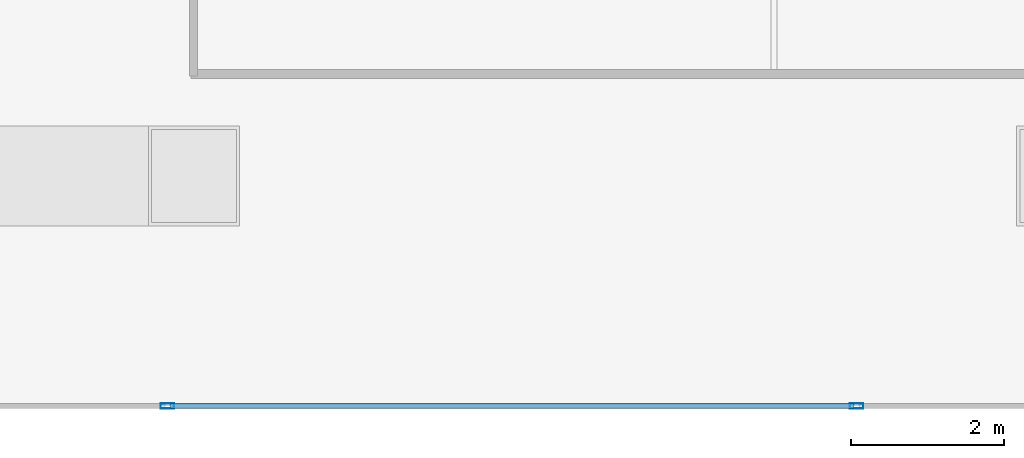
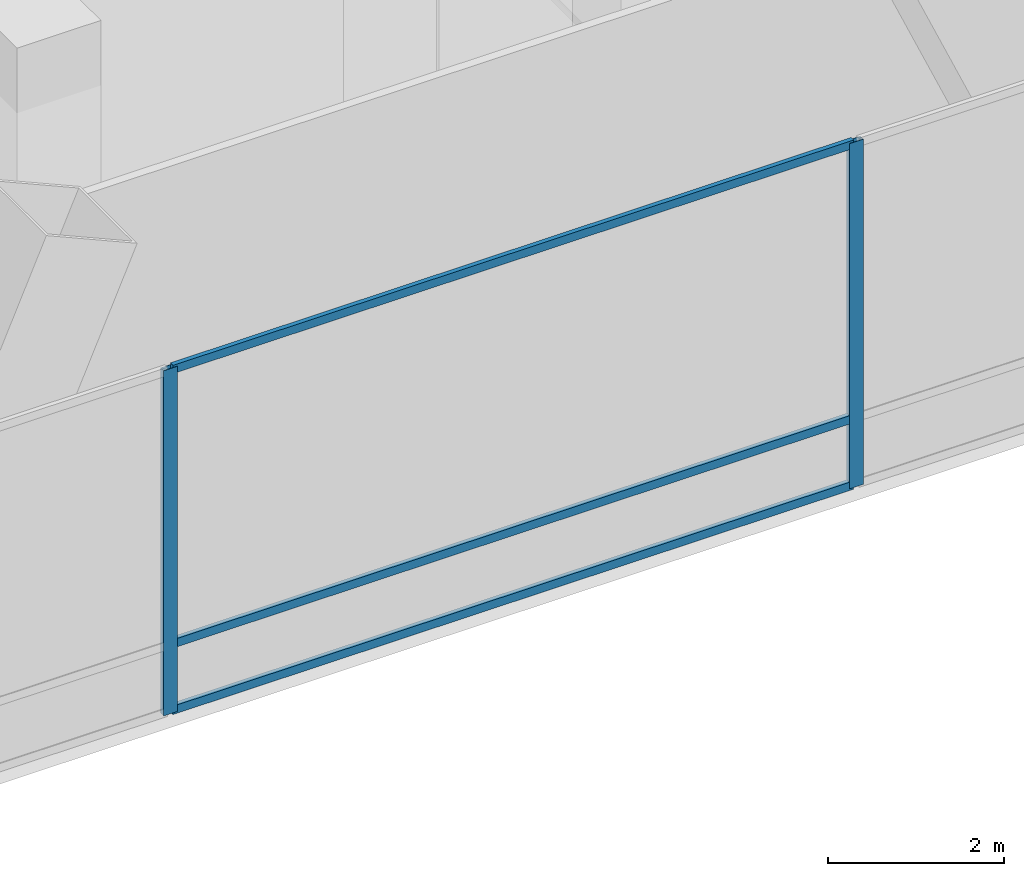
# One storey, part 12 of 42: 5 members, 1 element without a shape of its own.
"""IFC4 building model written with IfcOpenShell, lengths in metres."""

import ifcopenshell
import ifcopenshell.guid

model = None  # the IFC model being written
_history = None  # IfcOwnerHistory: only IFC2X3 demands one
_inside = {}  # id of a spatial element -> (the spatial element, [elements in it])
_under = {}  # id of a project, library or spatial element -> (it, [spatial elements below it])
_declared = {}  # id of a project -> (the project, [libraries it declares])
_typed = {}  # id of a type object -> (the type object, [elements of that type])
_made_of = {}  # id of a material, layer set ... -> (it, [elements and type objects made of it])


def new_model(schema):
    """Start an empty IFC model of exactly this schema.

    Asked for "IFC4X3", IfcOpenShell would pick the latest addendum, in which some entities
    have other attributes; the version numbers below select the first issue.
    IFC2X3 requires an IfcOwnerHistory on every rooted entity: one is made here for all.
    """
    global model, _history
    if schema == "IFC4X3":
        model = ifcopenshell.file(schema_version=(4, 3, 0, 0))
    else:
        model = ifcopenshell.file(schema=schema)
    _inside.clear()
    _under.clear()
    _declared.clear()
    _typed.clear()
    _made_of.clear()
    _history = None
    if model.schema == "IFC2X3":
        org = make("IfcOrganization", Name="unknown")
        user = make(
            "IfcPersonAndOrganization",
            ThePerson=make("IfcPerson", FamilyName="unknown"),
            TheOrganization=org,
        )
        app = make(
            "IfcApplication",
            ApplicationDeveloper=org,
            Version="unknown",
            ApplicationFullName="unknown",
            ApplicationIdentifier="unknown",
        )
        _history = make(
            "IfcOwnerHistory",
            OwningUser=user,
            OwningApplication=app,
            ChangeAction="ADDED",
            CreationDate=0,
        )
    return model


def make(cls, **values):
    """One entity of the class cls with the attributes given. An attribute that is None is left unset."""
    return model.create_entity(
        cls, **{name: value for name, value in values.items() if value is not None}
    )


def rooted(cls, **values):
    """An entity with a GlobalId (a new one), such as an element, a storey or a relation."""
    return make(cls, GlobalId=ifcopenshell.guid.new(), OwnerHistory=_history, **values)


def si_unit(unit_type, name, prefix=None):
    """IfcSIUnit, for example si_unit("LENGTHUNIT", "METRE", prefix="MILLI")."""
    return make("IfcSIUnit", UnitType=unit_type, Prefix=prefix, Name=name)


def assignment(units):
    """IfcUnitAssignment: the units of a project."""
    return None if units is None else make("IfcUnitAssignment", Units=units)


def point(xyz):
    """IfcCartesianPoint."""
    return None if xyz is None else make("IfcCartesianPoint", Coordinates=xyz)


def direction(xyz):
    """IfcDirection."""
    return None if xyz is None else make("IfcDirection", DirectionRatios=xyz)


def frame(location, z_axis=None, x_axis=None):
    """IfcAxis2Placement3D, a coordinate frame: its origin and axes. An axis left out is left unset."""
    return make(
        "IfcAxis2Placement3D",
        Location=point(location),
        Axis=direction(z_axis),
        RefDirection=direction(x_axis),
    )


def frame_2d(location, x_axis=None):
    """IfcAxis2Placement2D, a coordinate frame in the plane: its origin and x axis."""
    return make(
        "IfcAxis2Placement2D", Location=point(location), RefDirection=direction(x_axis)
    )


def origin():
    """The frame at (0, 0, 0) with its axes left unset."""
    return frame((0.0, 0.0, 0.0))


def origin_2d():
    """The frame at (0, 0) in the plane with its x axis left unset."""
    return frame_2d((0.0, 0.0))


def place(relative_to, where):
    """IfcLocalPlacement: puts the frame where relative to a parent placement (None: the world)."""
    return make(
        "IfcLocalPlacement", PlacementRelTo=relative_to, RelativePlacement=where
    )


def context(
    kind, dimensions, precision=None, world=None, true_north=None, identifier=None
):
    """IfcGeometricRepresentationContext, for example the 3D "Model" context."""
    return make(
        "IfcGeometricRepresentationContext",
        ContextIdentifier=identifier,
        ContextType=kind,
        CoordinateSpaceDimension=dimensions,
        Precision=precision,
        WorldCoordinateSystem=world,
        TrueNorth=true_north,
    )


def subcontext(parent, identifier, kind, view, scale=None):
    """IfcGeometricRepresentationSubContext, for example "Body" below "Model"."""
    return make(
        "IfcGeometricRepresentationSubContext",
        ContextIdentifier=identifier,
        ContextType=kind,
        ParentContext=parent,
        TargetScale=scale,
        TargetView=view,
    )


def project(units=None, contexts=None):
    """IfcProject with its units and contexts."""
    return rooted(
        "IfcProject",
        Name="project",
        RepresentationContexts=contexts,
        UnitsInContext=assignment(units),
    )


def spatial(cls, under=None, at=None, **own):
    """A site, building, storey or space (cls), placed at a placement, below another one or the project."""
    s = rooted(cls, ObjectPlacement=at, **own)
    if under is not None:
        _under.setdefault(under.id(), (under, []))[1].append(s)
    return s


def profile(cls, at=None, kind="AREA", **sizes):
    """A parametric profile (cls). Its sizes go by their IFC names, for example OverallWidth=200.0."""
    return make(cls, ProfileType=kind, Position=at, **sizes)


def hollow_rectangle(**sizes):
    """IfcRectangleHollowProfileDef."""
    return profile("IfcRectangleHollowProfileDef", **sizes)


def extrude(swept, where, along, depth):
    """IfcExtrudedAreaSolid: the profile swept, set in the frame where, extruded along a direction by depth."""
    return make(
        "IfcExtrudedAreaSolid",
        SweptArea=swept,
        Position=where,
        ExtrudedDirection=direction(along),
        Depth=depth,
    )


def shape(context_of_items, identifier, shape_type, items):
    """IfcShapeRepresentation: the items that make up one representation, for example the "Body"."""
    return make(
        "IfcShapeRepresentation",
        ContextOfItems=context_of_items,
        RepresentationIdentifier=identifier,
        RepresentationType=shape_type,
        Items=items,
    )


def material(Name=None, Category=None):
    """IfcMaterial."""
    return make("IfcMaterial", Name=Name, Category=Category)


def layer(
    of_material, thickness, ventilated=None, Name=None, Category=None, Priority=None
):
    """IfcMaterialLayer: one layer of a wall or slab, of a material (None: an air gap)."""
    return make(
        "IfcMaterialLayer",
        Material=of_material,
        LayerThickness=thickness,
        IsVentilated=ventilated,
        Name=Name,
        Category=Category,
        Priority=Priority,
    )


def layer_set(layers, Name=None):
    """IfcMaterialLayerSet."""
    return make("IfcMaterialLayerSet", MaterialLayers=layers, LayerSetName=Name)


def material_profile(
    of_material, cross_section, Name=None, Category=None, Priority=None
):
    """IfcMaterialProfile: a cross section and its material."""
    return make(
        "IfcMaterialProfile",
        Name=Name,
        Material=of_material,
        Profile=cross_section,
        Priority=Priority,
        Category=Category,
    )


def profile_set(profiles, Name=None, composite=None):
    """IfcMaterialProfileSet."""
    return make(
        "IfcMaterialProfileSet",
        Name=Name,
        MaterialProfiles=profiles,
        CompositeProfile=composite,
    )


def made_of(thing, what):
    """Note that an element or type object is made of a material, layer set ...; save() writes the relation."""
    if what is not None:
        _made_of.setdefault(what.id(), (what, []))[1].append(thing)
    return thing


def type_object(cls, material=None, **own):
    """A type object (cls), such as IfcWallType, which elements share."""
    return made_of(rooted(cls, **own), material)


def element(
    cls,
    number,
    at=None,
    inside=None,
    cuts=None,
    type_object=None,
    material=None,
    context=None,
    identifier="Body",
    shape_type=None,
    held_by="IfcProductDefinitionShape",
    body=None,
    shapes=None,
    **own,
):
    """One element of the class cls, such as IfcWall. Its Tag is "e" and its number.

    at: its placement. inside: the storey or other place that contains it. cuts: it is an
    opening in that element (IfcRelVoidsElement). A single representation is given by context,
    identifier, shape_type and body (its items); several are given by shapes. held_by: the class
    of the entity that holds the representations. save() writes the other relations.
    """
    e = rooted(cls, Tag="e%d" % number, ObjectPlacement=at, **own)
    if body is not None:
        shapes = [shape(context, identifier, shape_type, body)]
    if shapes is not None:
        e.Representation = make(held_by, Representations=shapes)
    if inside is not None:
        _inside.setdefault(inside.id(), (inside, []))[1].append(e)
    if cuts is not None:
        rooted(
            "IfcRelVoidsElement", RelatingBuildingElement=cuts, RelatedOpeningElement=e
        )
    if type_object is not None:
        _typed.setdefault(type_object.id(), (type_object, []))[1].append(e)
    return made_of(e, material)


def aggregate(whole, parts):
    """IfcRelAggregates: a whole, such as a stair, and the parts it consists of."""
    return rooted("IfcRelAggregates", RelatingObject=whole, RelatedObjects=parts)


def save(model, path):
    """Write the relations noted so far, then the file.

    IfcRelAggregates (storeys below a building ...), IfcRelContainedInSpatialStructure (elements
    in a storey), IfcRelDefinesByType, IfcRelAssociatesMaterial and IfcRelDeclares: one each for
    every whole, place, type object, material and project.
    """
    for whole, parts in _under.values():
        aggregate(whole, parts)
    for where, things in _inside.values():
        rooted(
            "IfcRelContainedInSpatialStructure",
            RelatedElements=things,
            RelatingStructure=where,
        )
    for kind, things in _typed.values():
        rooted("IfcRelDefinesByType", RelatedObjects=things, RelatingType=kind)
    for what, things in _made_of.values():
        rooted("IfcRelAssociatesMaterial", RelatedObjects=things, RelatingMaterial=what)
    for by, libraries in _declared.values():
        rooted("IfcRelDeclares", RelatingContext=by, RelatedDefinitions=libraries)
    model.write(path)


model = new_model("IFC4")

# Units and contexts
model_context = context("Model", 3, precision=1e-05, world=origin(), true_north=direction((0.0, 1.0)))
body_context = subcontext(model_context, "Body", "Model", "MODEL_VIEW")
ifc_project = project(units=[si_unit("LENGTHUNIT", "METRE"), si_unit("AREAUNIT", "SQUARE_METRE"), si_unit("VOLUMEUNIT", "CUBIC_METRE"), si_unit("PLANEANGLEUNIT", "RADIAN"), si_unit("MASSUNIT", "GRAM", prefix="KILO")], contexts=[model_context])

# Site, building, storey
site_placement = place(None, origin())
site = spatial("IfcSite", under=ifc_project, at=site_placement, CompositionType="ELEMENT")
building_placement = place(site_placement, origin())
building = spatial("IfcBuilding", under=site, at=building_placement, Name="Qianvela Tower", CompositionType="ELEMENT")
storey_placement = place(building_placement, frame((0.0, 0.0, 6.0)))
storey = spatial("IfcBuildingStorey", under=building, at=storey_placement, Name="L01", CompositionType="ELEMENT", Elevation=6.0)

# Curtain wall, members
ifc_material_1 = material(Name="Anodised Architectural Aluminium and Low-E Glass", Category="aluminium")
ifc_layer = layer(ifc_material_1, 0.179931640625)
ifc_layer_set = layer_set([ifc_layer], Name="Anodised Architectural Aluminium and Low-E Glass")
curtain_wall_type = type_object("IfcCurtainWallType", Name="CW-COMMONS", PredefinedType="USERDEFINED", material=ifc_layer_set)
curtain_wall_placement = place(storey_placement, origin())
curtain_wall = element("IfcCurtainWall", 1, at=curtain_wall_placement, inside=storey, type_object=curtain_wall_type, Name="L01 CW-COMMONS Curtain Wall 01", ObjectType="CURTAIN_WALL_SYSTEM", PredefinedType="USERDEFINED")
ifc_material_2 = material(Name="Anodised Architectural Aluminium 6063-T6", Category="aluminium")
ifc_material_profile_1 = material_profile(ifc_material_2, hollow_rectangle(XDim=0.070068359375, YDim=0.179931640625, WallThickness=0.0048828125, at=origin_2d()), Name="ALU-MULL-70x180")
ifc_profile_set_1 = profile_set([ifc_material_profile_1], Name="Anodised Architectural Aluminium 6063-T6")
member_type_1 = type_object("IfcMemberType", Name="CW-COMMONS-MULL", PredefinedType="MULLION", material=ifc_profile_set_1)
member_1_placement = place(storey_placement, frame((41.992919921875, 1.5, 0.0), z_axis=(0.0, 0.0, 1.0), x_axis=(0.0, 1.0, 0.0)))
member_1 = element("IfcMember", 2, at=member_1_placement, type_object=member_type_1, Name="CW-2 mullion 5", PredefinedType="MULLION", context=body_context, shape_type="SweptSolid", body=[
    extrude(hollow_rectangle(XDim=0.070068359375, YDim=0.179931640625, WallThickness=0.0048828125, at=origin_2d()), origin(), (0.0, 0.0, 1.0), 4.780029296875),
])
member_2_placement = place(storey_placement, frame((50.978515625, 1.5, 0.0), z_axis=(0.0, 0.0, 1.0), x_axis=(0.0, 1.0, 0.0)))
member_2 = element("IfcMember", 3, at=member_2_placement, type_object=member_type_1, Name="CW-2 mullion 6", PredefinedType="MULLION", context=body_context, shape_type="SweptSolid", body=[
    extrude(hollow_rectangle(XDim=0.070068359375, YDim=0.179931640625, WallThickness=0.0048828125, at=origin_2d()), origin(), (0.0, 0.0, 1.0), 4.780029296875),
])
ifc_material_3 = material(Name="Anodised Architectural Aluminium 6063-T6", Category="aluminium")
ifc_material_profile_2 = material_profile(ifc_material_3, hollow_rectangle(XDim=0.06005859375, YDim=0.114990234375, WallThickness=0.00390625, at=origin_2d()), Name="ALU-TRAN-60x115")
ifc_profile_set_2 = profile_set([ifc_material_profile_2], Name="Anodised Architectural Aluminium 6063-T6")
member_type_2 = type_object("IfcMemberType", Name="CW-COMMONS-TRAN", PredefinedType="USERDEFINED", material=ifc_profile_set_2)
member_3_placement = place(storey_placement, frame((42.02783203125, 1.5, 0.030029296875), z_axis=(1.0, 0.0, 0.0), x_axis=(0.0, 1.0, 0.0)))
member_3 = element("IfcMember", 4, at=member_3_placement, type_object=member_type_2, Name="CW-2 transom 5.1", ObjectType="TRANSOM", PredefinedType="USERDEFINED", context=body_context, shape_type="SweptSolid", body=[
    extrude(hollow_rectangle(XDim=0.06005859375, YDim=0.114990234375, WallThickness=0.00390625, at=origin_2d()), origin(), (0.0, 0.0, 1.0), 8.915771484375),
])
member_4_placement = place(storey_placement, frame((42.02783203125, 1.5, 0.949951171875), z_axis=(1.0, 0.0, 0.0), x_axis=(0.0, 1.0, 0.0)))
member_4 = element("IfcMember", 5, at=member_4_placement, type_object=member_type_2, Name="CW-2 transom 5.2", ObjectType="TRANSOM", PredefinedType="USERDEFINED", context=body_context, shape_type="SweptSolid", body=[
    extrude(hollow_rectangle(XDim=0.06005859375, YDim=0.114990234375, WallThickness=0.00390625, at=origin_2d()), origin(), (0.0, 0.0, 1.0), 8.915771484375),
])
member_5_placement = place(storey_placement, frame((42.02783203125, 1.5, 4.75), z_axis=(1.0, 0.0, 0.0), x_axis=(0.0, 1.0, 0.0)))
member_5 = element("IfcMember", 6, at=member_5_placement, type_object=member_type_2, Name="CW-2 transom 5.3", ObjectType="TRANSOM", PredefinedType="USERDEFINED", context=body_context, shape_type="SweptSolid", body=[
    extrude(hollow_rectangle(XDim=0.06005859375, YDim=0.114990234375, WallThickness=0.00390625, at=origin_2d()), origin(), (0.0, 0.0, 1.0), 8.915771484375),
])
aggregate(curtain_wall, [member_1, member_2, member_3, member_4, member_5])

save(model, "model.ifc")
